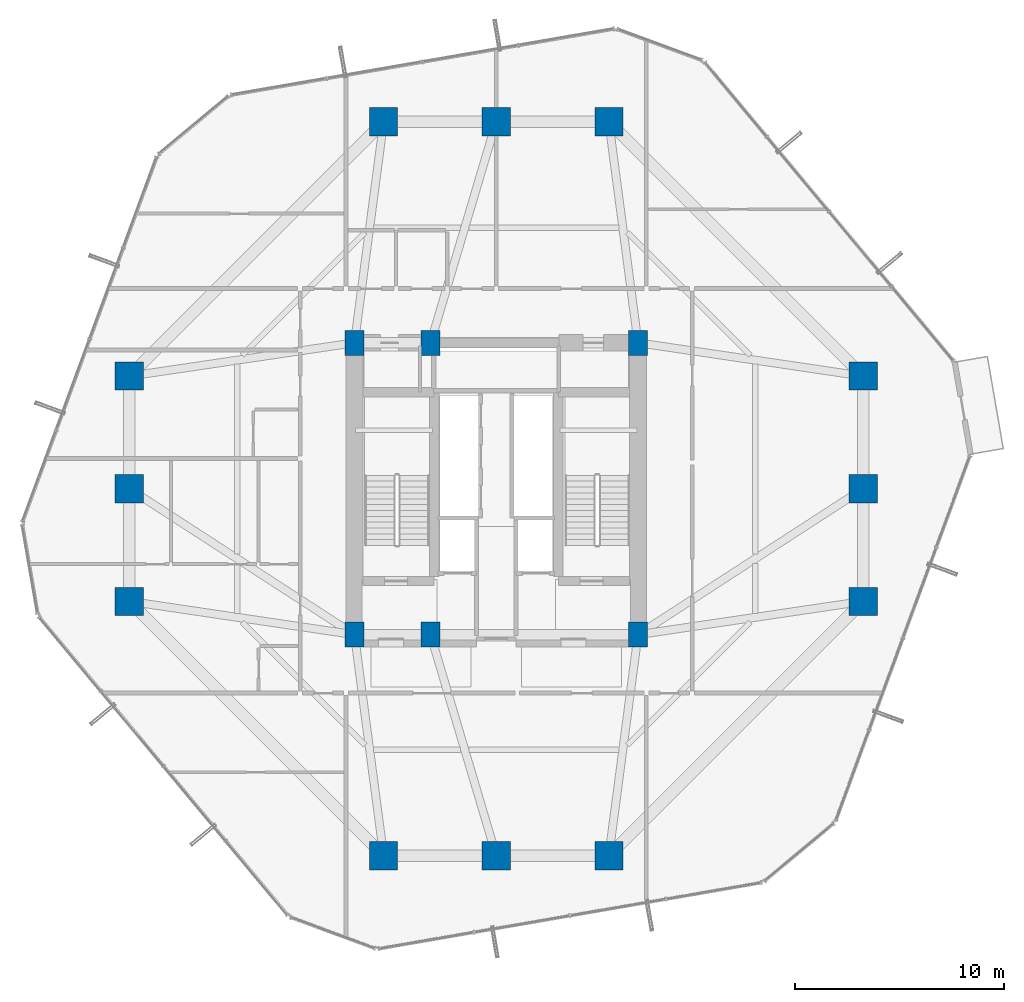
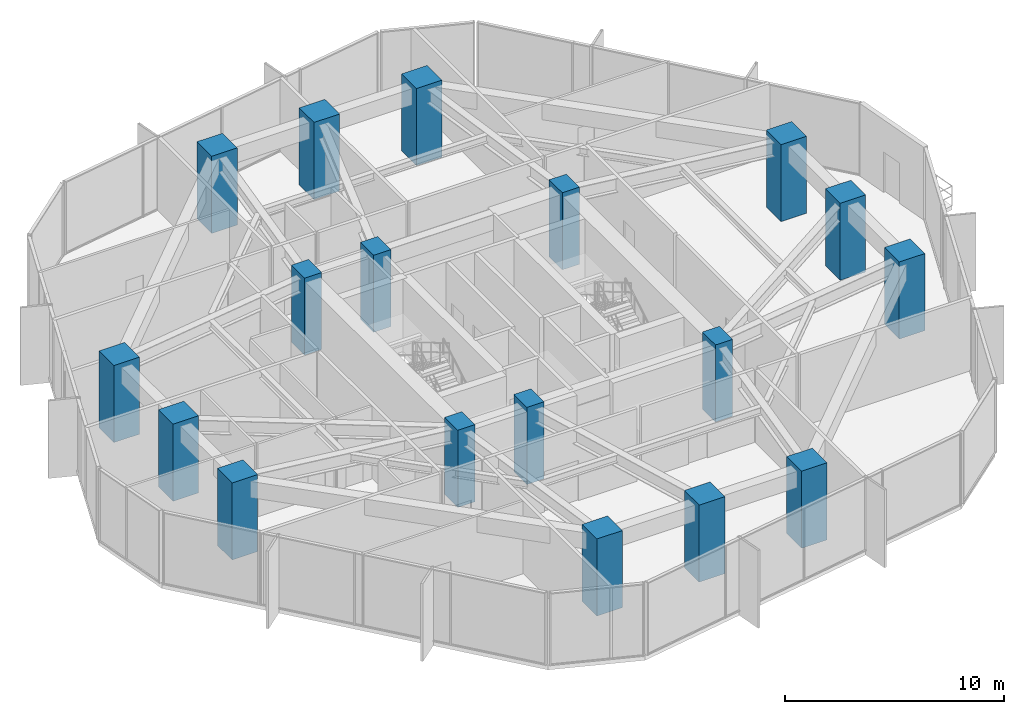
# One storey, part 1 of 35: 18 columns.
"""IFC4 building model written with IfcOpenShell, lengths in metres."""

import ifcopenshell
import ifcopenshell.guid

model = None  # the IFC model being written
_history = None  # IfcOwnerHistory: only IFC2X3 demands one
_inside = {}  # id of a spatial element -> (the spatial element, [elements in it])
_under = {}  # id of a project, library or spatial element -> (it, [spatial elements below it])
_declared = {}  # id of a project -> (the project, [libraries it declares])
_typed = {}  # id of a type object -> (the type object, [elements of that type])
_made_of = {}  # id of a material, layer set ... -> (it, [elements and type objects made of it])


def new_model(schema):
    """Start an empty IFC model of exactly this schema.

    Asked for "IFC4X3", IfcOpenShell would pick the latest addendum, in which some entities
    have other attributes; the version numbers below select the first issue.
    IFC2X3 requires an IfcOwnerHistory on every rooted entity: one is made here for all.
    """
    global model, _history
    if schema == "IFC4X3":
        model = ifcopenshell.file(schema_version=(4, 3, 0, 0))
    else:
        model = ifcopenshell.file(schema=schema)
    _inside.clear()
    _under.clear()
    _declared.clear()
    _typed.clear()
    _made_of.clear()
    _history = None
    if model.schema == "IFC2X3":
        org = make("IfcOrganization", Name="unknown")
        user = make(
            "IfcPersonAndOrganization",
            ThePerson=make("IfcPerson", FamilyName="unknown"),
            TheOrganization=org,
        )
        app = make(
            "IfcApplication",
            ApplicationDeveloper=org,
            Version="unknown",
            ApplicationFullName="unknown",
            ApplicationIdentifier="unknown",
        )
        _history = make(
            "IfcOwnerHistory",
            OwningUser=user,
            OwningApplication=app,
            ChangeAction="ADDED",
            CreationDate=0,
        )
    return model


def make(cls, **values):
    """One entity of the class cls with the attributes given. An attribute that is None is left unset."""
    return model.create_entity(
        cls, **{name: value for name, value in values.items() if value is not None}
    )


def rooted(cls, **values):
    """An entity with a GlobalId (a new one), such as an element, a storey or a relation."""
    return make(cls, GlobalId=ifcopenshell.guid.new(), OwnerHistory=_history, **values)


def si_unit(unit_type, name, prefix=None):
    """IfcSIUnit, for example si_unit("LENGTHUNIT", "METRE", prefix="MILLI")."""
    return make("IfcSIUnit", UnitType=unit_type, Prefix=prefix, Name=name)


def assignment(units):
    """IfcUnitAssignment: the units of a project."""
    return None if units is None else make("IfcUnitAssignment", Units=units)


def point(xyz):
    """IfcCartesianPoint."""
    return None if xyz is None else make("IfcCartesianPoint", Coordinates=xyz)


def direction(xyz):
    """IfcDirection."""
    return None if xyz is None else make("IfcDirection", DirectionRatios=xyz)


def frame(location, z_axis=None, x_axis=None):
    """IfcAxis2Placement3D, a coordinate frame: its origin and axes. An axis left out is left unset."""
    return make(
        "IfcAxis2Placement3D",
        Location=point(location),
        Axis=direction(z_axis),
        RefDirection=direction(x_axis),
    )


def frame_2d(location, x_axis=None):
    """IfcAxis2Placement2D, a coordinate frame in the plane: its origin and x axis."""
    return make(
        "IfcAxis2Placement2D", Location=point(location), RefDirection=direction(x_axis)
    )


def origin():
    """The frame at (0, 0, 0) with its axes left unset."""
    return frame((0.0, 0.0, 0.0))


def origin_2d():
    """The frame at (0, 0) in the plane with its x axis left unset."""
    return frame_2d((0.0, 0.0))


def place(relative_to, where):
    """IfcLocalPlacement: puts the frame where relative to a parent placement (None: the world)."""
    return make(
        "IfcLocalPlacement", PlacementRelTo=relative_to, RelativePlacement=where
    )


def context(
    kind, dimensions, precision=None, world=None, true_north=None, identifier=None
):
    """IfcGeometricRepresentationContext, for example the 3D "Model" context."""
    return make(
        "IfcGeometricRepresentationContext",
        ContextIdentifier=identifier,
        ContextType=kind,
        CoordinateSpaceDimension=dimensions,
        Precision=precision,
        WorldCoordinateSystem=world,
        TrueNorth=true_north,
    )


def subcontext(parent, identifier, kind, view, scale=None):
    """IfcGeometricRepresentationSubContext, for example "Body" below "Model"."""
    return make(
        "IfcGeometricRepresentationSubContext",
        ContextIdentifier=identifier,
        ContextType=kind,
        ParentContext=parent,
        TargetScale=scale,
        TargetView=view,
    )


def project(units=None, contexts=None):
    """IfcProject with its units and contexts."""
    return rooted(
        "IfcProject",
        Name="project",
        RepresentationContexts=contexts,
        UnitsInContext=assignment(units),
    )


def spatial(cls, under=None, at=None, **own):
    """A site, building, storey or space (cls), placed at a placement, below another one or the project."""
    s = rooted(cls, ObjectPlacement=at, **own)
    if under is not None:
        _under.setdefault(under.id(), (under, []))[1].append(s)
    return s


def profile(cls, at=None, kind="AREA", **sizes):
    """A parametric profile (cls). Its sizes go by their IFC names, for example OverallWidth=200.0."""
    return make(cls, ProfileType=kind, Position=at, **sizes)


def rectangle(**sizes):
    """IfcRectangleProfileDef."""
    return profile("IfcRectangleProfileDef", **sizes)


def extrude(swept, where, along, depth):
    """IfcExtrudedAreaSolid: the profile swept, set in the frame where, extruded along a direction by depth."""
    return make(
        "IfcExtrudedAreaSolid",
        SweptArea=swept,
        Position=where,
        ExtrudedDirection=direction(along),
        Depth=depth,
    )


def shape(context_of_items, identifier, shape_type, items):
    """IfcShapeRepresentation: the items that make up one representation, for example the "Body"."""
    return make(
        "IfcShapeRepresentation",
        ContextOfItems=context_of_items,
        RepresentationIdentifier=identifier,
        RepresentationType=shape_type,
        Items=items,
    )


def material(Name=None, Category=None):
    """IfcMaterial."""
    return make("IfcMaterial", Name=Name, Category=Category)


def material_profile(
    of_material, cross_section, Name=None, Category=None, Priority=None
):
    """IfcMaterialProfile: a cross section and its material."""
    return make(
        "IfcMaterialProfile",
        Name=Name,
        Material=of_material,
        Profile=cross_section,
        Priority=Priority,
        Category=Category,
    )


def profile_set(profiles, Name=None, composite=None):
    """IfcMaterialProfileSet."""
    return make(
        "IfcMaterialProfileSet",
        Name=Name,
        MaterialProfiles=profiles,
        CompositeProfile=composite,
    )


def made_of(thing, what):
    """Note that an element or type object is made of a material, layer set ...; save() writes the relation."""
    if what is not None:
        _made_of.setdefault(what.id(), (what, []))[1].append(thing)
    return thing


def type_object(cls, material=None, **own):
    """A type object (cls), such as IfcWallType, which elements share."""
    return made_of(rooted(cls, **own), material)


def element(
    cls,
    number,
    at=None,
    inside=None,
    cuts=None,
    type_object=None,
    material=None,
    context=None,
    identifier="Body",
    shape_type=None,
    held_by="IfcProductDefinitionShape",
    body=None,
    shapes=None,
    **own,
):
    """One element of the class cls, such as IfcWall. Its Tag is "e" and its number.

    at: its placement. inside: the storey or other place that contains it. cuts: it is an
    opening in that element (IfcRelVoidsElement). A single representation is given by context,
    identifier, shape_type and body (its items); several are given by shapes. held_by: the class
    of the entity that holds the representations. save() writes the other relations.
    """
    e = rooted(cls, Tag="e%d" % number, ObjectPlacement=at, **own)
    if body is not None:
        shapes = [shape(context, identifier, shape_type, body)]
    if shapes is not None:
        e.Representation = make(held_by, Representations=shapes)
    if inside is not None:
        _inside.setdefault(inside.id(), (inside, []))[1].append(e)
    if cuts is not None:
        rooted(
            "IfcRelVoidsElement", RelatingBuildingElement=cuts, RelatedOpeningElement=e
        )
    if type_object is not None:
        _typed.setdefault(type_object.id(), (type_object, []))[1].append(e)
    return made_of(e, material)


def aggregate(whole, parts):
    """IfcRelAggregates: a whole, such as a stair, and the parts it consists of."""
    return rooted("IfcRelAggregates", RelatingObject=whole, RelatedObjects=parts)


def save(model, path):
    """Write the relations noted so far, then the file.

    IfcRelAggregates (storeys below a building ...), IfcRelContainedInSpatialStructure (elements
    in a storey), IfcRelDefinesByType, IfcRelAssociatesMaterial and IfcRelDeclares: one each for
    every whole, place, type object, material and project.
    """
    for whole, parts in _under.values():
        aggregate(whole, parts)
    for where, things in _inside.values():
        rooted(
            "IfcRelContainedInSpatialStructure",
            RelatedElements=things,
            RelatingStructure=where,
        )
    for kind, things in _typed.values():
        rooted("IfcRelDefinesByType", RelatedObjects=things, RelatingType=kind)
    for what, things in _made_of.values():
        rooted("IfcRelAssociatesMaterial", RelatedObjects=things, RelatingMaterial=what)
    for by, libraries in _declared.values():
        rooted("IfcRelDeclares", RelatingContext=by, RelatedDefinitions=libraries)
    model.write(path)


model = new_model("IFC4")

# Units and contexts
model_context = context("Model", 3, precision=1e-05, world=origin(), true_north=direction((0.0, 1.0)))
body_context = subcontext(model_context, "Body", "Model", "MODEL_VIEW")
ifc_project = project(units=[si_unit("LENGTHUNIT", "METRE"), si_unit("AREAUNIT", "SQUARE_METRE"), si_unit("VOLUMEUNIT", "CUBIC_METRE"), si_unit("PLANEANGLEUNIT", "RADIAN"), si_unit("MASSUNIT", "GRAM", prefix="KILO")], contexts=[model_context])

# Site, building, storey
site_placement = place(None, origin())
site = spatial("IfcSite", under=ifc_project, at=site_placement, CompositionType="ELEMENT")
building_placement = place(site_placement, origin())
building = spatial("IfcBuilding", under=site, at=building_placement, Name="Veraguas Prism Commons", CompositionType="ELEMENT")
storey_placement = place(building_placement, frame((0.0, 0.0, 56.550048828125)))
storey = spatial("IfcBuildingStorey", under=building, at=storey_placement, Name="L15", CompositionType="ELEMENT", Elevation=56.550048828125)

# Columns
ifc_material = material(Name="Concrete C60/75", Category="concrete")
ifc_material_profile_1 = material_profile(ifc_material, rectangle(XDim=1.35009765625, YDim=1.35009765625, at=origin_2d()), Name="RC1350X1350")
ifc_profile_set_1 = profile_set([ifc_material_profile_1], Name="Concrete C60/75")
column_type_1 = type_object("IfcColumnType", Name="Column Tube Z1 RC 1350x1350", PredefinedType="COLUMN", material=ifc_profile_set_1)
for number, where, z_axis, x_axis, name in (
    (1, (41.60009765625, 18.60009765625, 0.0), (0.0, 0.0, 1.0), (1.0, 0.0, 0.0), "Tower Perimeter Column L15-TB01"),
    (2, (41.60009765625, 24.0, 0.0), (0.0, 0.0, 1.0), (1.0, 0.0, 0.0), "Tower Perimeter Column L15-TB02"),
    (3, (41.60009765625, 29.39990234375, 0.0), (0.0, 0.0, 1.0), (1.0, 0.0, 0.0), "Tower Perimeter Column L15-TB03"),
    (4, (29.39990234375, 41.60009765625, 0.0), (0.0, 0.0, 1.0), (1.0, 0.0, 0.0), "Tower Perimeter Column L15-TB04"),
    (5, (24.0, 41.60009765625, 0.0), (0.0, 0.0, 1.0), (1.0, 0.0, 0.0), "Tower Perimeter Column L15-TB05"),
    (6, (18.60009765625, 41.60009765625, 0.0), (0.0, 0.0, 1.0), (1.0, 0.0, 0.0), "Tower Perimeter Column L15-TB06"),
    (7, (6.39990234375, 29.39990234375, 0.0), (0.0, 0.0, 1.0), (1.0, 0.0, 0.0), "Tower Perimeter Column L15-TB07"),
    (8, (6.39990234375, 24.0, 0.0), (0.0, 0.0, 1.0), (1.0, 0.0, 0.0), "Tower Perimeter Column L15-TB08"),
    (9, (6.39990234375, 18.60009765625, 0.0), (0.0, 0.0, 1.0), (1.0, 0.0, 0.0), "Tower Perimeter Column L15-TB09"),
    (10, (18.60009765625, 6.39990234375, 0.0), (0.0, 0.0, 1.0), (1.0, 0.0, 0.0), "Tower Perimeter Column L15-TB10"),
    (11, (24.0, 6.39990234375, 0.0), (0.0, 0.0, 1.0), (1.0, 0.0, 0.0), "Tower Perimeter Column L15-TB11"),
    (12, (29.39990234375, 6.39990234375, 0.0), (0.0, 0.0, 1.0), (1.0, 0.0, 0.0), "Tower Perimeter Column L15-TB12"),
):
    element("IfcColumn", number, at=place(storey_placement, frame(where, z_axis=z_axis, x_axis=x_axis)), inside=storey, type_object=column_type_1, Name=name, PredefinedType="COLUMN", context=body_context, shape_type="SweptSolid", body=[
        extrude(rectangle(XDim=1.35009765625, YDim=1.35009765625, at=origin_2d()), origin(), (0.0, 0.0, 1.0), 4.300048828125),
    ])
ifc_material_profile_2 = material_profile(ifc_material, rectangle(XDim=0.89990234375, YDim=1.199951171875, at=origin_2d()), Name="RC900X1200")
ifc_profile_set_2 = profile_set([ifc_material_profile_2], Name="Concrete C60/75")
column_type_2 = type_object("IfcColumnType", Name="Pilaster Core Lower RC 900x1200", PredefinedType="PILASTER", material=ifc_profile_set_2)
for number, where, z_axis, x_axis, name in (
    (13, (17.199951171875, 17.0, 0.0), (0.0, 0.0, 1.0), (1.0, 0.0, 0.0), "Core Pilaster Column L15-CR1"),
    (14, (20.85009765625, 17.0, 0.0), (0.0, 0.0, 1.0), (1.0, 0.0, 0.0), "Core Pilaster Column L15-CR2"),
    (15, (30.800048828125, 17.0, 0.0), (0.0, 0.0, 1.0), (1.0, 0.0, 0.0), "Core Pilaster Column L15-CR3"),
    (16, (17.199951171875, 31.0, 0.0), (0.0, 0.0, 1.0), (1.0, 0.0, 0.0), "Core Pilaster Column L15-CR4"),
    (17, (20.85009765625, 31.0, 0.0), (0.0, 0.0, 1.0), (1.0, 0.0, 0.0), "Core Pilaster Column L15-CR5"),
    (18, (30.800048828125, 31.0, 0.0), (0.0, 0.0, 1.0), (1.0, 0.0, 0.0), "Core Pilaster Column L15-CR6"),
):
    element("IfcColumn", number, at=place(storey_placement, frame(where, z_axis=z_axis, x_axis=x_axis)), inside=storey, type_object=column_type_2, Name=name, PredefinedType="PILASTER", context=body_context, shape_type="SweptSolid", body=[
        extrude(rectangle(XDim=0.89990234375, YDim=1.199951171875, at=origin_2d()), origin(), (0.0, 0.0, 1.0), 4.300048828125),
    ])

save(model, "model.ifc")
